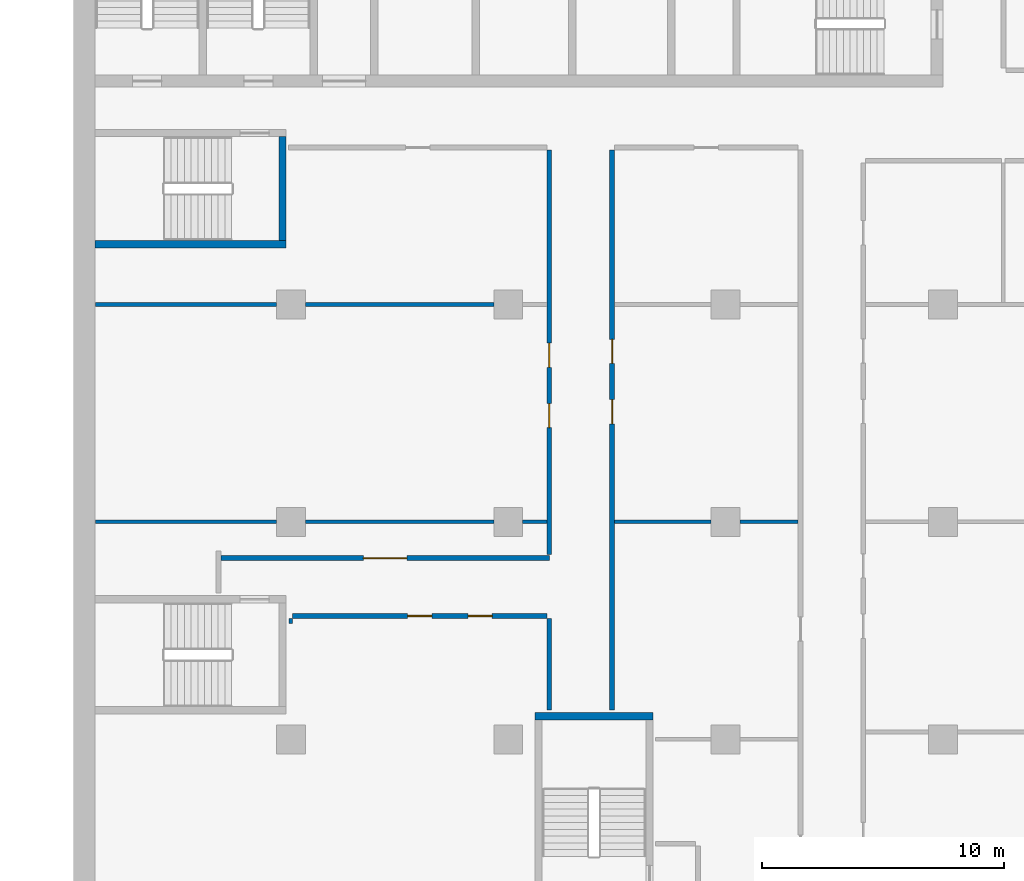
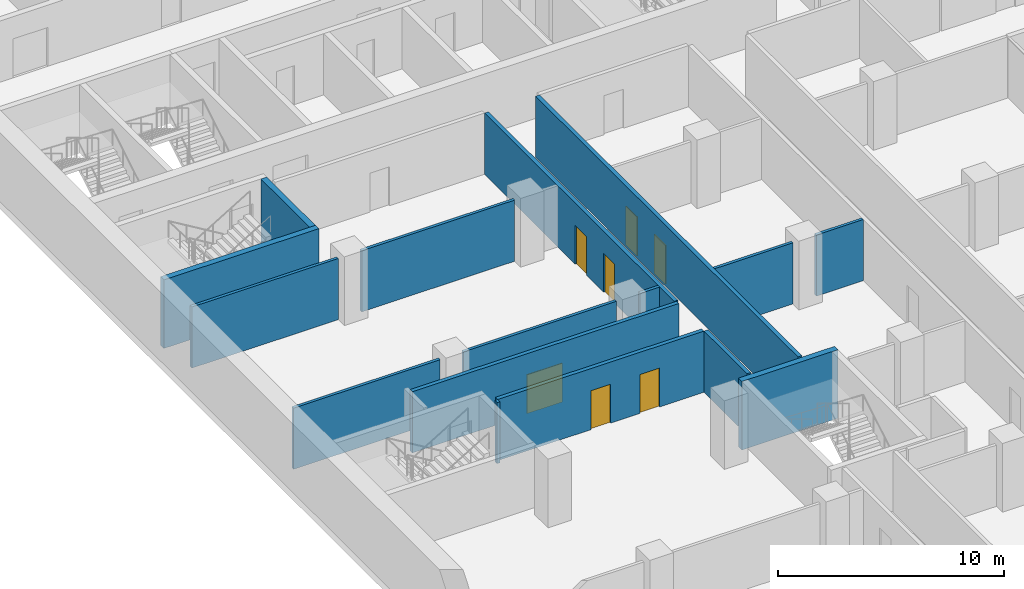
# One storey, part 11 of 23: 16 walls, 7 doors, 7 openings.
"""IFC4 building model written with IfcOpenShell, lengths in metres."""

from ifc_helpers import new_model, si_unit, direction, frame, frame_2d, origin, place, context, subcontext, project, spatial, rectangle, extrude, material, layer, layer_set, type_object, element, fill, save


model = new_model("IFC4")

# Units and contexts
model_context = context("Model", 3, precision=1e-05, world=origin(), true_north=direction((0.0, 1.0)))
body_context = subcontext(model_context, "Body", "Model", "MODEL_VIEW")
ifc_project = project(units=[si_unit("LENGTHUNIT", "METRE"), si_unit("AREAUNIT", "SQUARE_METRE"), si_unit("VOLUMEUNIT", "CUBIC_METRE"), si_unit("PLANEANGLEUNIT", "RADIAN"), si_unit("MASSUNIT", "GRAM", prefix="KILO")], contexts=[model_context])

# Site, building, storey
site_placement = place(None, origin())
site = spatial("IfcSite", under=ifc_project, at=site_placement, CompositionType="ELEMENT")
building_placement = place(site_placement, origin())
building = spatial("IfcBuilding", under=site, at=building_placement, Name="Hunhe Ridgeline Campus", CompositionType="ELEMENT")
storey_placement = place(building_placement, frame((0.0, 0.0, 144.89990234375)))
storey = spatial("IfcBuildingStorey", under=building, at=storey_placement, Name="L36", CompositionType="ELEMENT", Elevation=144.89990234375)

# Wall, openings, doors
ifc_material_1 = material(Name="Gypsum board partition")
ifc_layer_1 = layer(ifc_material_1, 0.199951171875)
ifc_layer_set_1 = layer_set([ifc_layer_1], Name="Corridor partition 200 gypsum board on steel studs")
wall_type_1 = type_object("IfcWallType", Name="Corridor partition 200 gypsum board on steel studs", PredefinedType="PARTITIONING", material=ifc_layer_set_1)
wall_1_placement = place(storey_placement, frame((19.60009765625, 41.10009765625, 0.0), z_axis=(0.0, 0.0, 1.0), x_axis=(-1.0, 0.0, 0.0)))
wall_1 = element("IfcWall", 1, at=wall_1_placement, inside=storey, type_object=wall_type_1, Name="F-L36-wall-023", PredefinedType="PARTITIONING", context=body_context, shape_type="SweptSolid", body=[
    extrude(rectangle(XDim=10.525146484375, YDim=0.199951171875, at=frame_2d((5.2626953125, 0.0))), origin(), (0.0, 0.0, 1.0), 3.300048828125),
])
opening_1_placement = place(wall_1_placement, frame((4.762451171875, 0.0, 0.0)))
opening_1 = element("IfcOpeningElement", 2, at=opening_1_placement, cuts=wall_1, Name="Opening RD1-013", PredefinedType="OPENING", context=body_context, shape_type="SweptSolid", body=[
    extrude(rectangle(XDim=1.0, YDim=2.10009765625, at=frame_2d((0.5, 1.050048828125))), frame((0.0, 0.10009765625, 0.0), z_axis=(0.0, -1.0, 0.0), x_axis=(1.0, 0.0, 0.0)), (0.0, 0.0, 1.0), 0.199951171875),
])
opening_2_placement = place(wall_1_placement, frame((2.262451171875, 0.0, 0.0)))
opening_2 = element("IfcOpeningElement", 3, at=opening_2_placement, cuts=wall_1, Name="Opening RD1-014", PredefinedType="OPENING", context=body_context, shape_type="SweptSolid", body=[
    extrude(rectangle(XDim=1.0, YDim=2.10009765625, at=frame_2d((0.5, 1.050048828125))), frame((0.0, 0.10009765625, 0.0), z_axis=(0.0, -1.0, 0.0), x_axis=(1.0, 0.0, 0.0)), (0.0, 0.0, 1.0), 0.199951171875),
])
ifc_material_2 = material(Name="Timber door leaf", Category="wood")
door_type_1 = type_object("IfcDoorType", Name="Single fire door 1000x2100 timber FD60", OperationType="NOTDEFINED", PredefinedType="DOOR", material=ifc_material_2)
door_1_placement = place(opening_1_placement, frame((1.0, 0.0, 0.0), z_axis=(0.0, 0.0, 1.0), x_axis=(-1.0, 0.0, 0.0)))
door_1 = element("IfcDoor", 4, at=door_1_placement, inside=storey, type_object=door_type_1, Name="F-L36-door-013", OperationType="SINGLE_SWING_RIGHT", OverallHeight=2.10009765625, OverallWidth=1.0, PredefinedType="DOOR", context=body_context, shape_type="SweptSolid", body=[
    extrude(rectangle(XDim=1.0, YDim=2.10009765625, at=frame_2d((0.5, 1.050048828125))), frame((0.0, 0.02490234375, 0.0), z_axis=(0.0, -1.0, 0.0), x_axis=(1.0, 0.0, 0.0)), (0.0, 0.0, 1.0), 0.050048828125),
])
fill(opening_1, door_1)
door_2_placement = place(opening_2_placement, frame((1.0, 0.0, 0.0), z_axis=(0.0, 0.0, 1.0), x_axis=(-1.0, 0.0, 0.0)))
door_2 = element("IfcDoor", 5, at=door_2_placement, inside=storey, type_object=door_type_1, Name="F-L36-door-014", OperationType="SINGLE_SWING_RIGHT", OverallHeight=2.10009765625, OverallWidth=1.0, PredefinedType="DOOR", context=body_context, shape_type="SweptSolid", body=[
    extrude(rectangle(XDim=1.0, YDim=2.10009765625, at=frame_2d((0.5, 1.050048828125))), frame((0.0, 0.02490234375, 0.0), z_axis=(0.0, -1.0, 0.0), x_axis=(1.0, 0.0, 0.0)), (0.0, 0.0, 1.0), 0.050048828125),
])
fill(opening_2, door_2)

# Wall, opening, door
wall_2_placement = place(storey_placement, frame((6.10009765625, 43.5, 0.0), z_axis=(0.0, 0.0, 1.0), x_axis=(1.0, 0.0, 0.0)))
wall_2 = element("IfcWall", 6, at=wall_2_placement, inside=storey, type_object=wall_type_1, Name="F-L36-wall-024", PredefinedType="PARTITIONING", context=body_context, shape_type="SweptSolid", body=[
    extrude(rectangle(XDim=13.599853515625, YDim=0.199951171875, at=frame_2d((6.7998046875, 0.0))), origin(), (0.0, 0.0, 1.0), 3.300048828125),
])
opening_3_placement = place(wall_2_placement, frame((5.89990234375, 0.0, 0.0)))
opening_3 = element("IfcOpeningElement", 7, at=opening_3_placement, cuts=wall_2, Name="Opening RD2-016", PredefinedType="OPENING", context=body_context, shape_type="SweptSolid", body=[
    extrude(rectangle(XDim=1.800048828125, YDim=2.10009765625, at=frame_2d((0.89990234375, 1.050048828125))), frame((0.0, 0.10009765625, 0.0), z_axis=(0.0, -1.0, 0.0), x_axis=(1.0, 0.0, 0.0)), (0.0, 0.0, 1.0), 0.199951171875),
])
door_type_2 = type_object("IfcDoorType", Name="Double fire door 1800x2100 timber FD60", OperationType="DOUBLE_DOOR_SINGLE_SWING", PredefinedType="DOOR", material=ifc_material_2)
door_3_placement = place(opening_3_placement, origin())
door_3 = element("IfcDoor", 8, at=door_3_placement, inside=storey, type_object=door_type_2, Name="F-L36-door-016", OperationType="DOUBLE_DOOR_SINGLE_SWING", OverallHeight=2.10009765625, OverallWidth=1.800048828125, PredefinedType="DOOR", context=body_context, shape_type="SweptSolid", body=[
    extrude(rectangle(XDim=1.800048828125, YDim=2.10009765625, at=frame_2d((0.89990234375, 1.050048828125))), frame((0.0, 0.02490234375, 0.0), z_axis=(0.0, -1.0, 0.0), x_axis=(1.0, 0.0, 0.0)), (0.0, 0.0, 1.0), 0.050048828125),
])
fill(opening_3, door_3)

# Wall
wall_3_placement = place(storey_placement, frame((19.699951171875, 37.2041015625, 0.0), z_axis=(0.0, 0.0, 1.0), x_axis=(0.0, 1.0, 0.0)))
element("IfcWall", 9, at=wall_3_placement, inside=storey, type_object=wall_type_1, Name="F-L36-wall-062", PredefinedType="PARTITIONING", context=body_context, shape_type="SweptSolid", body=[
    extrude(rectangle(XDim=3.7958984375, YDim=0.199951171875, at=frame_2d((1.89794921875, 0.0))), origin(), (0.0, 0.0, 1.0), 3.300048828125),
])

# Wall, openings, doors
wall_4_placement = place(storey_placement, frame((19.699951171875, 43.6474609375, 0.0), z_axis=(0.0, 0.0, 1.0), x_axis=(0.0, 1.0, 0.0)))
wall_4 = element("IfcWall", 10, at=wall_4_placement, inside=storey, type_object=wall_type_1, Name="F-L36-wall-063", PredefinedType="PARTITIONING", context=body_context, shape_type="SweptSolid", body=[
    extrude(rectangle(XDim=16.75244140625, YDim=0.199951171875, at=frame_2d((8.376220703125, 0.0))), origin(), (0.0, 0.0, 1.0), 3.300048828125),
])
opening_4_placement = place(wall_4_placement, frame((5.250732421875, 0.0, 0.0)))
opening_4 = element("IfcOpeningElement", 11, at=opening_4_placement, cuts=wall_4, Name="Opening RD1-017", PredefinedType="OPENING", context=body_context, shape_type="SweptSolid", body=[
    extrude(rectangle(XDim=1.0, YDim=2.10009765625, at=frame_2d((0.5, 1.050048828125))), frame((0.0, 0.10009765625, 0.0), z_axis=(0.0, -1.0, 0.0), x_axis=(1.0, 0.0, 0.0)), (0.0, 0.0, 1.0), 0.199951171875),
])
opening_5_placement = place(wall_4_placement, frame((7.750732421875, 0.0, 0.0)))
opening_5 = element("IfcOpeningElement", 12, at=opening_5_placement, cuts=wall_4, Name="Opening RD1-020", PredefinedType="OPENING", context=body_context, shape_type="SweptSolid", body=[
    extrude(rectangle(XDim=1.0, YDim=2.10009765625, at=frame_2d((0.5, 1.050048828125))), frame((0.0, 0.10009765625, 0.0), z_axis=(0.0, -1.0, 0.0), x_axis=(1.0, 0.0, 0.0)), (0.0, 0.0, 1.0), 0.199951171875),
])
door_4_placement = place(opening_4_placement, frame((1.0, 0.0, 0.0), z_axis=(0.0, 0.0, 1.0), x_axis=(-1.0, 0.0, 0.0)))
door_4 = element("IfcDoor", 13, at=door_4_placement, inside=storey, type_object=door_type_1, Name="F-L36-door-017", OperationType="SINGLE_SWING_LEFT", OverallHeight=2.10009765625, OverallWidth=1.0, PredefinedType="DOOR", context=body_context, shape_type="SweptSolid", body=[
    extrude(rectangle(XDim=1.0, YDim=2.10009765625, at=frame_2d((0.5, 1.050048828125))), frame((0.0, 0.02490234375, 0.0), z_axis=(0.0, -1.0, 0.0), x_axis=(1.0, 0.0, 0.0)), (0.0, 0.0, 1.0), 0.050048828125),
])
fill(opening_4, door_4)
door_5_placement = place(opening_5_placement, frame((1.0, 0.0, 0.0), z_axis=(0.0, 0.0, 1.0), x_axis=(-1.0, 0.0, 0.0)))
door_5 = element("IfcDoor", 14, at=door_5_placement, inside=storey, type_object=door_type_1, Name="F-L36-door-020", OperationType="SINGLE_SWING_LEFT", OverallHeight=2.10009765625, OverallWidth=1.0, PredefinedType="DOOR", context=body_context, shape_type="SweptSolid", body=[
    extrude(rectangle(XDim=1.0, YDim=2.10009765625, at=frame_2d((0.5, 1.050048828125))), frame((0.0, 0.02490234375, 0.0), z_axis=(0.0, -1.0, 0.0), x_axis=(1.0, 0.0, 0.0)), (0.0, 0.0, 1.0), 0.050048828125),
])
fill(opening_5, door_5)

wall_5_placement = place(storey_placement, frame((22.300048828125, 60.39990234375, 0.0), z_axis=(0.0, 0.0, 1.0), x_axis=(0.0, -1.0, 0.0)))
wall_5 = element("IfcWall", 15, at=wall_5_placement, inside=storey, type_object=wall_type_1, Name="F-L36-wall-065", PredefinedType="PARTITIONING", context=body_context, shape_type="SweptSolid", body=[
    extrude(rectangle(XDim=23.19580078125, YDim=0.199951171875, at=frame_2d((11.597900390625, 0.0))), origin(), (0.0, 0.0, 1.0), 3.300048828125),
])
opening_6_placement = place(wall_5_placement, frame((10.341552734375, 0.0, 0.0)))
opening_6 = element("IfcOpeningElement", 16, at=opening_6_placement, cuts=wall_5, Name="Opening RD1-018", PredefinedType="OPENING", context=body_context, shape_type="SweptSolid", body=[
    extrude(rectangle(XDim=1.0, YDim=2.10009765625, at=frame_2d((0.5, 1.050048828125))), frame((0.0, 0.10009765625, 0.0), z_axis=(0.0, -1.0, 0.0), x_axis=(1.0, 0.0, 0.0)), (0.0, 0.0, 1.0), 0.199951171875),
])
opening_7_placement = place(wall_5_placement, frame((7.841552734375, 0.0, 0.0)))
opening_7 = element("IfcOpeningElement", 17, at=opening_7_placement, cuts=wall_5, Name="Opening RD1-021", PredefinedType="OPENING", context=body_context, shape_type="SweptSolid", body=[
    extrude(rectangle(XDim=1.0, YDim=2.10009765625, at=frame_2d((0.5, 1.050048828125))), frame((0.0, 0.10009765625, 0.0), z_axis=(0.0, -1.0, 0.0), x_axis=(1.0, 0.0, 0.0)), (0.0, 0.0, 1.0), 0.199951171875),
])
door_6_placement = place(opening_6_placement, frame((1.0, 0.0, 0.0), z_axis=(0.0, 0.0, 1.0), x_axis=(-1.0, 0.0, 0.0)))
door_6 = element("IfcDoor", 18, at=door_6_placement, inside=storey, type_object=door_type_1, Name="F-L36-door-018", OperationType="SINGLE_SWING_LEFT", OverallHeight=2.10009765625, OverallWidth=1.0, PredefinedType="DOOR", context=body_context, shape_type="SweptSolid", body=[
    extrude(rectangle(XDim=1.0, YDim=2.10009765625, at=frame_2d((0.5, 1.050048828125))), frame((0.0, 0.02490234375, 0.0), z_axis=(0.0, -1.0, 0.0), x_axis=(1.0, 0.0, 0.0)), (0.0, 0.0, 1.0), 0.050048828125),
])
fill(opening_6, door_6)
door_7_placement = place(opening_7_placement, frame((1.0, 0.0, 0.0), z_axis=(0.0, 0.0, 1.0), x_axis=(-1.0, 0.0, 0.0)))
door_7 = element("IfcDoor", 19, at=door_7_placement, inside=storey, type_object=door_type_1, Name="F-L36-door-021", OperationType="SINGLE_SWING_RIGHT", OverallHeight=2.10009765625, OverallWidth=1.0, PredefinedType="DOOR", context=body_context, shape_type="SweptSolid", body=[
    extrude(rectangle(XDim=1.0, YDim=2.10009765625, at=frame_2d((0.5, 1.050048828125))), frame((0.0, 0.02490234375, 0.0), z_axis=(0.0, -1.0, 0.0), x_axis=(1.0, 0.0, 0.0)), (0.0, 0.0, 1.0), 0.050048828125),
])
fill(opening_7, door_7)

# Walls
ifc_layer_2 = layer(ifc_material_1, 0.14990234375)
ifc_layer_set_2 = layer_set([ifc_layer_2], Name="Room partition 150 gypsum board on steel studs")
wall_type_2 = type_object("IfcWallType", Name="Room partition 150 gypsum board on steel studs", PredefinedType="PARTITIONING", material=ifc_layer_set_2)
wall_6_placement = place(storey_placement, frame((0.919921875, 45.0, 0.0), z_axis=(0.0, 0.0, 1.0), x_axis=(1.0, 0.0, 0.0)))
element("IfcWall", 20, at=wall_6_placement, inside=storey, type_object=wall_type_2, Name="F-L36-wall-025", PredefinedType="PARTITIONING", context=body_context, shape_type="SweptSolid", body=[
    extrude(rectangle(XDim=7.47998046875, YDim=0.14990234375, at=frame_2d((3.739990234375, 0.0))), origin(), (0.0, 0.0, 1.0), 3.300048828125),
])
wall_7_placement = place(storey_placement, frame((9.60009765625, 45.0, 0.0), z_axis=(0.0, 0.0, 1.0), x_axis=(1.0, 0.0, 0.0)))
element("IfcWall", 21, at=wall_7_placement, inside=storey, type_object=wall_type_2, Name="F-L36-wall-026", PredefinedType="PARTITIONING", context=body_context, shape_type="SweptSolid", body=[
    extrude(rectangle(XDim=7.7998046875, YDim=0.14990234375, at=frame_2d((3.89990234375, 0.0))), origin(), (0.0, 0.0, 1.0), 3.300048828125),
])
wall_8_placement = place(storey_placement, frame((18.60009765625, 45.0, 0.0), z_axis=(0.0, 0.0, 1.0), x_axis=(1.0, 0.0, 0.0)))
element("IfcWall", 22, at=wall_8_placement, inside=storey, type_object=wall_type_2, Name="F-L36-wall-027", PredefinedType="PARTITIONING", context=body_context, shape_type="SweptSolid", body=[
    extrude(rectangle(XDim=1.0, YDim=0.14990234375, at=frame_2d((0.5, 0.0))), origin(), (0.0, 0.0, 1.0), 3.300048828125),
])
wall_9_placement = place(storey_placement, frame((22.39990234375, 45.0, 0.0), z_axis=(0.0, 0.0, 1.0), x_axis=(1.0, 0.0, 0.0)))
element("IfcWall", 23, at=wall_9_placement, inside=storey, type_object=wall_type_2, Name="F-L36-wall-028", PredefinedType="PARTITIONING", context=body_context, shape_type="SweptSolid", body=[
    extrude(rectangle(XDim=4.0, YDim=0.14990234375, at=frame_2d((2.0, 0.0))), origin(), (0.0, 0.0, 1.0), 3.300048828125),
])
wall_10_placement = place(storey_placement, frame((27.60009765625, 45.0, 0.0), z_axis=(0.0, 0.0, 1.0), x_axis=(1.0, 0.0, 0.0)))
element("IfcWall", 24, at=wall_10_placement, inside=storey, type_object=wall_type_2, Name="F-L36-wall-029", PredefinedType="PARTITIONING", context=body_context, shape_type="SweptSolid", body=[
    extrude(rectangle(XDim=2.39990234375, YDim=0.14990234375, at=frame_2d((1.199951171875, 0.0))), origin(), (0.0, 0.0, 1.0), 3.300048828125),
])
wall_11_placement = place(storey_placement, frame((0.919921875, 54.0, 0.0), z_axis=(0.0, 0.0, 1.0), x_axis=(1.0, 0.0, 0.0)))
element("IfcWall", 25, at=wall_11_placement, inside=storey, type_object=wall_type_2, Name="F-L36-wall-032", PredefinedType="PARTITIONING", context=body_context, shape_type="SweptSolid", body=[
    extrude(rectangle(XDim=7.47998046875, YDim=0.14990234375, at=frame_2d((3.739990234375, 0.0))), origin(), (0.0, 0.0, 1.0), 3.300048828125),
])
wall_12_placement = place(storey_placement, frame((9.60009765625, 54.0, 0.0), z_axis=(0.0, 0.0, 1.0), x_axis=(1.0, 0.0, 0.0)))
element("IfcWall", 26, at=wall_12_placement, inside=storey, type_object=wall_type_2, Name="F-L36-wall-033", PredefinedType="PARTITIONING", context=body_context, shape_type="SweptSolid", body=[
    extrude(rectangle(XDim=7.7998046875, YDim=0.14990234375, at=frame_2d((3.89990234375, 0.0))), origin(), (0.0, 0.0, 1.0), 3.300048828125),
])
wall_13_placement = place(storey_placement, frame((9.0, 41.0, 0.0), z_axis=(0.0, 0.0, 1.0), x_axis=(0.0, -1.0, 0.0)))
element("IfcWall", 27, at=wall_13_placement, inside=storey, type_object=wall_type_2, Name="F-L36-wall-060", PredefinedType="PARTITIONING", context=body_context, shape_type="SweptSolid", body=[
    extrude(rectangle(XDim=0.199951171875, YDim=0.14990234375, at=frame_2d((0.10009765625, 0.0))), origin(), (0.0, 0.0, 1.0), 3.300048828125),
])
ifc_material_3 = material(Name="Concrete C70", Category="concrete")
ifc_layer_3 = layer(ifc_material_3, 0.300048828125)
ifc_layer_set_3 = layer_set([ifc_layer_3], Name="Stair wall 300 reinforced concrete C70")
wall_type_3 = type_object("IfcWallType", Name="Stair wall 300 reinforced concrete C70", PredefinedType="SOLIDWALL", material=ifc_layer_set_3)
wall_14_placement = place(storey_placement, frame((19.10009765625, 36.949951171875, -0.39990234375), z_axis=(0.0, 0.0, 1.0), x_axis=(1.0, 0.0, 0.0)))
element("IfcWall", 28, at=wall_14_placement, inside=storey, type_object=wall_type_3, Name="L36 core wall 2", PredefinedType="SOLIDWALL", context=body_context, shape_type="SweptSolid", body=[
    extrude(rectangle(XDim=4.89990234375, YDim=0.300048828125, at=frame_2d((2.449951171875, 0.0))), origin(), (0.0, 0.0, 1.0), 3.699951171875),
])
wall_15_placement = place(storey_placement, frame((0.89990234375, 56.5, -0.39990234375), z_axis=(0.0, 0.0, 1.0), x_axis=(1.0, 0.0, 0.0)))
element("IfcWall", 29, at=wall_15_placement, inside=storey, type_object=wall_type_3, Name="L36 core wall 5", PredefinedType="SOLIDWALL", context=body_context, shape_type="SweptSolid", body=[
    extrude(rectangle(XDim=7.900146484375, YDim=0.300048828125, at=frame_2d((3.9501953125, 0.0))), origin(), (0.0, 0.0, 1.0), 3.699951171875),
])
wall_16_placement = place(storey_placement, frame((8.64990234375, 56.64990234375, -0.39990234375), z_axis=(0.0, 0.0, 1.0), x_axis=(0.0, 1.0, 0.0)))
element("IfcWall", 30, at=wall_16_placement, inside=storey, type_object=wall_type_3, Name="L36 core wall 36", PredefinedType="SOLIDWALL", context=body_context, shape_type="SweptSolid", body=[
    extrude(rectangle(XDim=4.300048828125, YDim=0.300048828125, at=frame_2d((2.14990234375, 0.0))), origin(), (0.0, 0.0, 1.0), 3.699951171875),
])

save(model, "model.ifc")
